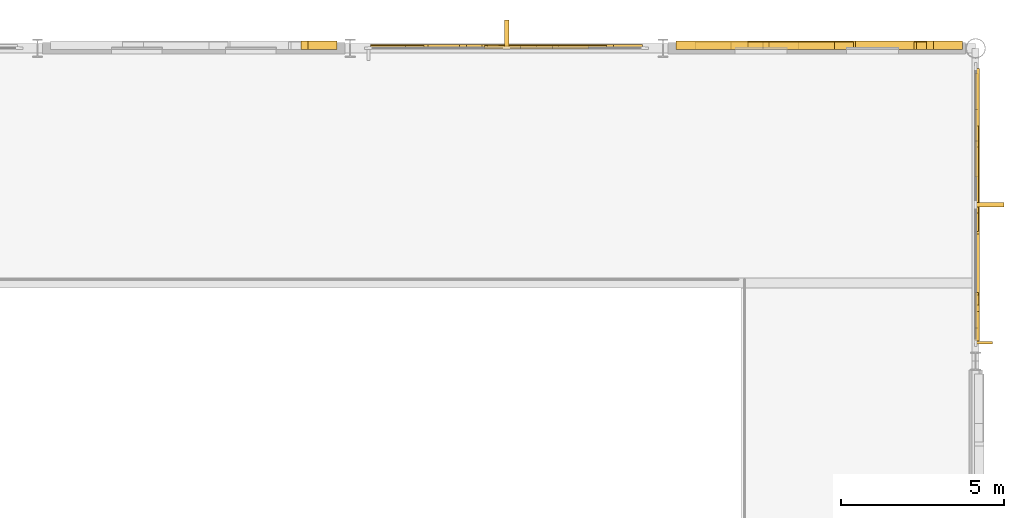
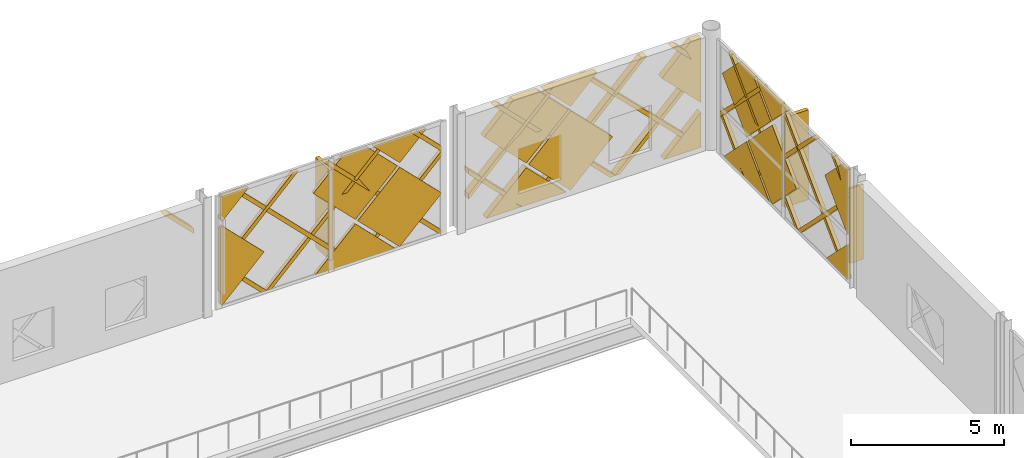
# One storey, part 77 of 77: 42 coverings, 1 shading device.
"""IFC4 building model written with IfcOpenShell, lengths in metres."""

import ifcopenshell
import ifcopenshell.guid

model = None  # the IFC model being written
_history = None  # IfcOwnerHistory: only IFC2X3 demands one
_inside = {}  # id of a spatial element -> (the spatial element, [elements in it])
_under = {}  # id of a project, library or spatial element -> (it, [spatial elements below it])
_declared = {}  # id of a project -> (the project, [libraries it declares])
_typed = {}  # id of a type object -> (the type object, [elements of that type])
_made_of = {}  # id of a material, layer set ... -> (it, [elements and type objects made of it])


def new_model(schema):
    """Start an empty IFC model of exactly this schema.

    Asked for "IFC4X3", IfcOpenShell would pick the latest addendum, in which some entities
    have other attributes; the version numbers below select the first issue.
    IFC2X3 requires an IfcOwnerHistory on every rooted entity: one is made here for all.
    """
    global model, _history
    if schema == "IFC4X3":
        model = ifcopenshell.file(schema_version=(4, 3, 0, 0))
    else:
        model = ifcopenshell.file(schema=schema)
    _inside.clear()
    _under.clear()
    _declared.clear()
    _typed.clear()
    _made_of.clear()
    _history = None
    if model.schema == "IFC2X3":
        org = make("IfcOrganization", Name="unknown")
        user = make(
            "IfcPersonAndOrganization",
            ThePerson=make("IfcPerson", FamilyName="unknown"),
            TheOrganization=org,
        )
        app = make(
            "IfcApplication",
            ApplicationDeveloper=org,
            Version="unknown",
            ApplicationFullName="unknown",
            ApplicationIdentifier="unknown",
        )
        _history = make(
            "IfcOwnerHistory",
            OwningUser=user,
            OwningApplication=app,
            ChangeAction="ADDED",
            CreationDate=0,
        )
    return model


def make(cls, **values):
    """One entity of the class cls with the attributes given. An attribute that is None is left unset."""
    return model.create_entity(
        cls, **{name: value for name, value in values.items() if value is not None}
    )


def rooted(cls, **values):
    """An entity with a GlobalId (a new one), such as an element, a storey or a relation."""
    return make(cls, GlobalId=ifcopenshell.guid.new(), OwnerHistory=_history, **values)


def si_unit(unit_type, name, prefix=None):
    """IfcSIUnit, for example si_unit("LENGTHUNIT", "METRE", prefix="MILLI")."""
    return make("IfcSIUnit", UnitType=unit_type, Prefix=prefix, Name=name)


def assignment(units):
    """IfcUnitAssignment: the units of a project."""
    return None if units is None else make("IfcUnitAssignment", Units=units)


def point(xyz):
    """IfcCartesianPoint."""
    return None if xyz is None else make("IfcCartesianPoint", Coordinates=xyz)


def direction(xyz):
    """IfcDirection."""
    return None if xyz is None else make("IfcDirection", DirectionRatios=xyz)


def frame(location, z_axis=None, x_axis=None):
    """IfcAxis2Placement3D, a coordinate frame: its origin and axes. An axis left out is left unset."""
    return make(
        "IfcAxis2Placement3D",
        Location=point(location),
        Axis=direction(z_axis),
        RefDirection=direction(x_axis),
    )


def frame_2d(location, x_axis=None):
    """IfcAxis2Placement2D, a coordinate frame in the plane: its origin and x axis."""
    return make(
        "IfcAxis2Placement2D", Location=point(location), RefDirection=direction(x_axis)
    )


def origin():
    """The frame at (0, 0, 0) with its axes left unset."""
    return frame((0.0, 0.0, 0.0))


def origin_2d():
    """The frame at (0, 0) in the plane with its x axis left unset."""
    return frame_2d((0.0, 0.0))


def place(relative_to, where):
    """IfcLocalPlacement: puts the frame where relative to a parent placement (None: the world)."""
    return make(
        "IfcLocalPlacement", PlacementRelTo=relative_to, RelativePlacement=where
    )


def context(
    kind, dimensions, precision=None, world=None, true_north=None, identifier=None
):
    """IfcGeometricRepresentationContext, for example the 3D "Model" context."""
    return make(
        "IfcGeometricRepresentationContext",
        ContextIdentifier=identifier,
        ContextType=kind,
        CoordinateSpaceDimension=dimensions,
        Precision=precision,
        WorldCoordinateSystem=world,
        TrueNorth=true_north,
    )


def subcontext(parent, identifier, kind, view, scale=None):
    """IfcGeometricRepresentationSubContext, for example "Body" below "Model"."""
    return make(
        "IfcGeometricRepresentationSubContext",
        ContextIdentifier=identifier,
        ContextType=kind,
        ParentContext=parent,
        TargetScale=scale,
        TargetView=view,
    )


def project(units=None, contexts=None):
    """IfcProject with its units and contexts."""
    return rooted(
        "IfcProject",
        Name="project",
        RepresentationContexts=contexts,
        UnitsInContext=assignment(units),
    )


def spatial(cls, under=None, at=None, **own):
    """A site, building, storey or space (cls), placed at a placement, below another one or the project."""
    s = rooted(cls, ObjectPlacement=at, **own)
    if under is not None:
        _under.setdefault(under.id(), (under, []))[1].append(s)
    return s


def polyline(points):
    """IfcPolyline through the points."""
    return make("IfcPolyline", Points=[point(p) for p in points])


def profile(cls, at=None, kind="AREA", **sizes):
    """A parametric profile (cls). Its sizes go by their IFC names, for example OverallWidth=200.0."""
    return make(cls, ProfileType=kind, Position=at, **sizes)


def rectangle(**sizes):
    """IfcRectangleProfileDef."""
    return profile("IfcRectangleProfileDef", **sizes)


def outline(outer, holes=None, kind="AREA"):
    """IfcArbitraryClosedProfileDef: a profile drawn as a closed curve; with holes, ...WithVoids."""
    if holes is None:
        return make("IfcArbitraryClosedProfileDef", ProfileType=kind, OuterCurve=outer)
    return make(
        "IfcArbitraryProfileDefWithVoids",
        ProfileType=kind,
        OuterCurve=outer,
        InnerCurves=holes,
    )


def extrude(swept, where, along, depth):
    """IfcExtrudedAreaSolid: the profile swept, set in the frame where, extruded along a direction by depth."""
    return make(
        "IfcExtrudedAreaSolid",
        SweptArea=swept,
        Position=where,
        ExtrudedDirection=direction(along),
        Depth=depth,
    )


def shape(context_of_items, identifier, shape_type, items):
    """IfcShapeRepresentation: the items that make up one representation, for example the "Body"."""
    return make(
        "IfcShapeRepresentation",
        ContextOfItems=context_of_items,
        RepresentationIdentifier=identifier,
        RepresentationType=shape_type,
        Items=items,
    )


def material(Name=None, Category=None):
    """IfcMaterial."""
    return make("IfcMaterial", Name=Name, Category=Category)


def layer(
    of_material, thickness, ventilated=None, Name=None, Category=None, Priority=None
):
    """IfcMaterialLayer: one layer of a wall or slab, of a material (None: an air gap)."""
    return make(
        "IfcMaterialLayer",
        Material=of_material,
        LayerThickness=thickness,
        IsVentilated=ventilated,
        Name=Name,
        Category=Category,
        Priority=Priority,
    )


def layer_set(layers, Name=None):
    """IfcMaterialLayerSet."""
    return make("IfcMaterialLayerSet", MaterialLayers=layers, LayerSetName=Name)


def made_of(thing, what):
    """Note that an element or type object is made of a material, layer set ...; save() writes the relation."""
    if what is not None:
        _made_of.setdefault(what.id(), (what, []))[1].append(thing)
    return thing


def type_object(cls, material=None, **own):
    """A type object (cls), such as IfcWallType, which elements share."""
    return made_of(rooted(cls, **own), material)


def element(
    cls,
    number,
    at=None,
    inside=None,
    cuts=None,
    type_object=None,
    material=None,
    context=None,
    identifier="Body",
    shape_type=None,
    held_by="IfcProductDefinitionShape",
    body=None,
    shapes=None,
    **own,
):
    """One element of the class cls, such as IfcWall. Its Tag is "e" and its number.

    at: its placement. inside: the storey or other place that contains it. cuts: it is an
    opening in that element (IfcRelVoidsElement). A single representation is given by context,
    identifier, shape_type and body (its items); several are given by shapes. held_by: the class
    of the entity that holds the representations. save() writes the other relations.
    """
    e = rooted(cls, Tag="e%d" % number, ObjectPlacement=at, **own)
    if body is not None:
        shapes = [shape(context, identifier, shape_type, body)]
    if shapes is not None:
        e.Representation = make(held_by, Representations=shapes)
    if inside is not None:
        _inside.setdefault(inside.id(), (inside, []))[1].append(e)
    if cuts is not None:
        rooted(
            "IfcRelVoidsElement", RelatingBuildingElement=cuts, RelatedOpeningElement=e
        )
    if type_object is not None:
        _typed.setdefault(type_object.id(), (type_object, []))[1].append(e)
    return made_of(e, material)


def aggregate(whole, parts):
    """IfcRelAggregates: a whole, such as a stair, and the parts it consists of."""
    return rooted("IfcRelAggregates", RelatingObject=whole, RelatedObjects=parts)


def save(model, path):
    """Write the relations noted so far, then the file.

    IfcRelAggregates (storeys below a building ...), IfcRelContainedInSpatialStructure (elements
    in a storey), IfcRelDefinesByType, IfcRelAssociatesMaterial and IfcRelDeclares: one each for
    every whole, place, type object, material and project.
    """
    for whole, parts in _under.values():
        aggregate(whole, parts)
    for where, things in _inside.values():
        rooted(
            "IfcRelContainedInSpatialStructure",
            RelatedElements=things,
            RelatingStructure=where,
        )
    for kind, things in _typed.values():
        rooted("IfcRelDefinesByType", RelatedObjects=things, RelatingType=kind)
    for what, things in _made_of.values():
        rooted("IfcRelAssociatesMaterial", RelatedObjects=things, RelatingMaterial=what)
    for by, libraries in _declared.values():
        rooted("IfcRelDeclares", RelatingContext=by, RelatedDefinitions=libraries)
    model.write(path)


model = new_model("IFC4")

# Units and contexts
model_context = context("Model", 3, precision=1e-05, world=origin(), true_north=direction((0.0, 1.0)))
body_context = subcontext(model_context, "Body", "Model", "MODEL_VIEW")
ifc_project = project(units=[si_unit("LENGTHUNIT", "METRE"), si_unit("AREAUNIT", "SQUARE_METRE"), si_unit("VOLUMEUNIT", "CUBIC_METRE"), si_unit("PLANEANGLEUNIT", "RADIAN"), si_unit("MASSUNIT", "GRAM", prefix="KILO")], contexts=[model_context])

# Site, building, storey
site_placement = place(None, origin())
site = spatial("IfcSite", under=ifc_project, at=site_placement, CompositionType="ELEMENT")
building_placement = place(site_placement, origin())
building = spatial("IfcBuilding", under=site, at=building_placement, Name="Zevrakil Square Congress Hotel", CompositionType="ELEMENT")
storey_placement = place(building_placement, frame((0.0, 0.0, 9.89990234375)))
storey = spatial("IfcBuildingStorey", under=building, at=storey_placement, Name="L03", CompositionType="ELEMENT", Elevation=9.89990234375)

# Coverings
ifc_material_1 = material(Name="Architectural White Fibre-C GRC", Category="concrete")
ifc_layer_1 = layer(ifc_material_1, 0.06494140625)
ifc_layer_set_1 = layer_set([ifc_layer_1], Name="Architectural White Fibre-C GRC")
covering_type_1 = type_object("IfcCoveringType", Name="COV-DIA-WHITE", PredefinedType="CLADDING", material=ifc_layer_set_1)
covering_1_placement = place(storey_placement, frame((152.1201171875, 112.89404296875, 1.590087890625), z_axis=(0.0, 0.999999790873, 0.000646725815), x_axis=(-0.707106707249, 0.000457304257, -0.707106707249)))
element("IfcCovering", 1, at=covering_1_placement, inside=storey, type_object=covering_type_1, Name="L03 45-degree white GRC diamond facade cassette 836", PredefinedType="CLADDING", context=body_context, shape_type="SweptSolid", body=[
    extrude(outline(polyline([(0.0, 0.0), (2.1354765131557993, 0.0), (0.00017308005963778683, -2.1353038796462007), (0.0, 0.0)])), origin(), (0.0, 0.0, -1.0), 0.1201171875),
])
covering_2_placement = place(storey_placement, frame((153.800048828125, 112.89306640625, 3.27001953125), z_axis=(0.0, 0.999999812555, 0.000612282237), x_axis=(-0.707161000838, 0.000432915721, -0.707052424844)))
element("IfcCovering", 2, at=covering_2_placement, inside=storey, type_object=covering_type_1, Name="L03 45-degree white GRC diamond facade cassette 837", PredefinedType="CLADDING", context=body_context, shape_type="SweptSolid", body=[
    extrude(outline(polyline([(0.0, 0.0), (2.2485514454845923, 0.0), (2.248379222880032, -2.2487240657380214), (0.013983748838055643, -2.248379882955194), (-0.0001711092764935529, -2.234222853853795), (0.0, 0.0)])), origin(), (0.0, 0.0, -1.0), 0.1201171875),
])
covering_3_placement = place(storey_placement, frame((147.080078125, 112.89501953125, 0.090087890625), z_axis=(4.3905e-08, 0.999999810877, 0.000615017631), x_axis=(0.707052423991, -0.000434947608, 0.707161000444)))
element("IfcCovering", 3, at=covering_3_placement, inside=storey, type_object=covering_type_1, Name="L03 45-degree white GRC diamond facade cassette 838", PredefinedType="CLADDING", context=body_context, shape_type="SweptSolid", body=[
    extrude(outline(polyline([(0.0, 0.0), (2.2485514454863083, 0.0), (2.2487244898345797, -2.248378798725155), (2.163961467029263, -2.248557955925599), (6.520949064468817e-06, -0.08493566953746919), (0.0, 0.0)])), origin(), (0.0, 0.0, -1.0), 0.1201171875),
])
covering_4_placement = place(storey_placement, frame((150.530029296875, 112.89306640625, 3.360107421875), z_axis=(0.0, 0.999999844268, 0.000558088716), x_axis=(0.70710674536, 0.000394628335, -0.707106706895)))
element("IfcCovering", 4, at=covering_4_placement, inside=storey, type_object=covering_type_1, Name="L03 45-degree white GRC diamond facade cassette 839", PredefinedType="CLADDING", context=body_context, shape_type="SweptSolid", body=[
    extrude(outline(polyline([(0.0, 0.0), (2.2487239742229237, 0.0), (2.248551112868532, -2.2485513407226647), (0.692950553054712, -2.2487240632897065), (-0.00017288020188344078, -1.5556005597963094), (0.0, 0.0)])), origin(), (0.0, 0.0, -1.0), 0.1201171875),
])
covering_5_placement = place(storey_placement, frame((153.800048828125, 112.892822265625, 3.4501953125), z_axis=(0.0, 0.999999883142, 0.000483442051), x_axis=(0.707106739871, -0.000341845173, 0.707106739871)))
element("IfcCovering", 5, at=covering_5_placement, inside=storey, type_object=covering_type_1, Name="L03 45-degree white GRC diamond facade cassette 840", PredefinedType="CLADDING", context=body_context, shape_type="SweptSolid", body=[
    extrude(outline(polyline([(0.0, 0.0), (1.4283695921344428, 0.0), (1.6691658821788025e-07, -1.4283695921344328), (0.0, 0.0)])), origin(), (0.0, 0.0, -1.0), 0.1201171875),
])
covering_6_placement = place(storey_placement, frame((147.080078125, 112.892822265625, 3.4501953125), z_axis=(2.5668016e-05, 0.999999882073, 0.000484968358), x_axis=(0.707106739508, -0.00036107446, 0.707106730676)))
element("IfcCovering", 6, at=covering_6_placement, inside=storey, type_object=covering_type_1, Name="L03 45-degree white GRC diamond facade cassette 841", PredefinedType="CLADDING", context=body_context, shape_type="SweptSolid", body=[
    extrude(outline(polyline([(0.0, 0.0), (1.4283695918703618, 0.0), (0.6717170432219074, -0.7566526373474769), (-0.00017263400960761816, -0.08476303987563624), (0.0, 0.0)])), origin(), (0.0, 0.0, -1.0), 0.1201171875),
])
covering_7_placement = place(storey_placement, frame((163.7900390625, 113.0, 0.080078125), z_axis=(0.0, 0.999999760125, 0.000692640526), x_axis=(1.0, 0.0, 0.0)))
element("IfcCovering", 7, at=covering_7_placement, inside=storey, type_object=covering_type_1, Name="L03 45-degree white GRC diamond facade cassette 862", PredefinedType="CLADDING", context=body_context, shape_type="SweptSolid", body=[
    extrude(outline(polyline([(0.0, 0.0), (1.409912109375, 0.0), (1.409912109375, -1.4099124475784228), (0.0, 0.0)])), origin(), (0.0, 0.0, -1.0), 0.239990234375),
])
covering_8_placement = place(storey_placement, frame((158.580078125, 112.9990234375, 1.590087890625), z_axis=(0.0, 0.999999790873, 0.000646725815), x_axis=(-0.707106707249, 0.000457304257, -0.707106707249)))
element("IfcCovering", 8, at=covering_8_placement, inside=storey, type_object=covering_type_1, Name="L03 45-degree white GRC diamond facade cassette 863", PredefinedType="CLADDING", context=body_context, shape_type="SweptSolid", body=[
    extrude(outline(polyline([(0.0, 0.0), (2.1354765131557993, 0.0), (4.465861884739297e-07, -2.1354765131557527), (0.0, 0.0)])), origin(), (0.0, 0.0, -1.0), 0.239990234375),
])
covering_9_placement = place(storey_placement, frame((160.260009765625, 112.998046875, 3.27001953125), z_axis=(0.0, 0.999999811377, 0.000614203339), x_axis=(-0.707161000837, 0.000434274042, -0.707052424012)))
element("IfcCovering", 9, at=covering_9_placement, inside=storey, type_object=covering_type_1, Name="L03 45-degree white GRC diamond facade cassette 864", PredefinedType="CLADDING", context=body_context, shape_type="SweptSolid", body=[
    extrude(outline(polyline([(0.0, 0.0), (2.2485514454867683, 0.0), (2.2483792228863573, -2.248724065739994), (-0.0003448428211170196, -2.248551419043839), (0.0, 0.0)])), origin(), (0.0, 0.0, -1.0), 0.239990234375),
])
covering_10_placement = place(storey_placement, frame((163.7099609375, 112.998046875, 3.360107421875), z_axis=(6.6594553e-05, 0.999999832135, 0.0005755821), x_axis=(0.707106739346, 0.00035990858, -0.707106731433)))
element("IfcCovering", 10, at=covering_10_placement, inside=storey, type_object=covering_type_1, Name="L03 45-degree white GRC diamond facade cassette 865", PredefinedType="CLADDING", context=body_context, shape_type="SweptSolid", body=[
    extrude(outline(polyline([(0.0, 0.0), (2.1071645243865915, 0.0), (0.27569541471321635, -1.8314688986077599), (-2.548998729867691e-07, -1.5557731975905282), (0.0, 0.0)])), origin(), (0.0, 0.0, -1.0), 0.239990234375),
])
covering_11_placement = place(storey_placement, frame((156.989990234375, 112.998046875, 3.360107421875), z_axis=(0.0, 0.99999984427, 0.000558085713), x_axis=(0.70710674536, 0.000394626212, -0.707106706896)))
element("IfcCovering", 11, at=covering_11_placement, inside=storey, type_object=covering_type_1, Name="L03 45-degree white GRC diamond facade cassette 866", PredefinedType="CLADDING", context=body_context, shape_type="SweptSolid", body=[
    extrude(outline(polyline([(0.0, 0.0), (2.2487239742232523, 2.220446049250313e-16), (2.2485511128682028, -2.248551340722994), (0.6929505530546344, -2.248724063289557), (-2.4671910581197665e-07, -1.5557731932963055), (0.0, 0.0)])), origin(), (0.0, 0.0, -1.0), 0.239990234375),
])
covering_12_placement = place(storey_placement, frame((160.260009765625, 112.997802734375, 3.4501953125), z_axis=(0.0, 0.999999883142, 0.000483442051), x_axis=(0.707106739871, -0.000341845173, 0.707106739871)))
element("IfcCovering", 12, at=covering_12_placement, inside=storey, type_object=covering_type_1, Name="L03 45-degree white GRC diamond facade cassette 867", PredefinedType="CLADDING", context=body_context, shape_type="SweptSolid", body=[
    extrude(outline(polyline([(0.0, 0.0), (1.4283695921344428, 0.0), (1.6691658821788025e-07, -1.4283695921344328), (0.0, 0.0)])), origin(), (0.0, 0.0, -1.0), 0.239990234375),
])
covering_13_placement = place(storey_placement, frame((165.695068359375, 105.22998046875, 0.080078125), z_axis=(0.999999760125, 0.0, 0.000692640526), x_axis=(0.0, -1.0, 0.0)))
element("IfcCovering", 13, at=covering_13_placement, inside=storey, type_object=covering_type_1, Name="L03 45-degree white GRC diamond facade cassette 1026", PredefinedType="CLADDING", context=body_context, shape_type="SweptSolid", body=[
    extrude(outline(polyline([(0.0, 0.0), (1.409912109375, 0.0), (1.409912109375, -1.4099124475784228), (0.0, 0.0)])), origin(), (0.0, 0.0, -1.0), 0.1201171875),
])
covering_14_placement = place(storey_placement, frame((165.694091796875, 110.43994140625, 1.590087890625), z_axis=(0.999999790873, 0.0, 0.000646725815), x_axis=(0.000457304257, 0.707106707249, -0.707106707249)))
element("IfcCovering", 14, at=covering_14_placement, inside=storey, type_object=covering_type_1, Name="L03 45-degree white GRC diamond facade cassette 1027", PredefinedType="CLADDING", context=body_context, shape_type="SweptSolid", body=[
    extrude(outline(polyline([(0.0, 0.0), (2.1354765131557993, 0.0), (4.465861884739297e-07, -2.1354765131557527), (0.0, 0.0)])), origin(), (0.0, 0.0, -1.0), 0.1201171875),
])
covering_15_placement = place(storey_placement, frame((165.693115234375, 108.760009765625, 3.27001953125), z_axis=(0.999999855586, 0.0, 0.000537427945), x_axis=(0.000379989803, 0.707161001881, -0.707052454226)))
element("IfcCovering", 15, at=covering_15_placement, inside=storey, type_object=covering_type_1, Name="L03 45-degree white GRC diamond facade cassette 1028", PredefinedType="CLADDING", context=body_context, shape_type="SweptSolid", body=[
    extrude(outline(polyline([(0.0, 0.0), (2.2485514421697053, 2.220446049250313e-16), (2.2483791201710894, -2.248723969644624), (-0.0003448494557509729, -2.2485514157257587), (0.0, 0.0)])), origin(), (0.0, 0.0, -1.0), 0.1201171875),
])
covering_16_placement = place(storey_placement, frame((165.693115234375, 105.31005859375, 3.360107421875), z_axis=(0.999999832135, -6.6594553e-05, 0.0005755821), x_axis=(0.00035990858, -0.707106739346, -0.707106731433)))
element("IfcCovering", 16, at=covering_16_placement, inside=storey, type_object=covering_type_1, Name="L03 45-degree white GRC diamond facade cassette 1029", PredefinedType="CLADDING", context=body_context, shape_type="SweptSolid", body=[
    extrude(outline(polyline([(0.0, 0.0), (2.1071645243865915, 0.0), (0.27569541471321635, -1.8314688986077599), (-2.548998729867691e-07, -1.5557731975905282), (0.0, 0.0)])), origin(), (0.0, 0.0, -1.0), 0.1201171875),
])
covering_17_placement = place(storey_placement, frame((165.693115234375, 112.030029296875, 3.360107421875), z_axis=(0.99999984427, 0.0, 0.000558085713), x_axis=(0.000394626212, -0.70710674536, -0.707106706896)))
element("IfcCovering", 17, at=covering_17_placement, inside=storey, type_object=covering_type_1, Name="L03 45-degree white GRC diamond facade cassette 1030", PredefinedType="CLADDING", context=body_context, shape_type="SweptSolid", body=[
    extrude(outline(polyline([(0.0, 0.0), (2.2487239742232523, 2.220446049250313e-16), (2.2485511128682028, -2.248551340722994), (0.6929505530546344, -2.248724063289557), (-2.4671910581197665e-07, -1.5557731932963055), (0.0, 0.0)])), origin(), (0.0, 0.0, -1.0), 0.1201171875),
])
covering_18_placement = place(storey_placement, frame((165.69287109375, 108.760009765625, 3.4501953125), z_axis=(0.999999883142, 0.0, 0.000483442051), x_axis=(-0.000341845173, -0.707106739871, 0.707106739871)))
element("IfcCovering", 18, at=covering_18_placement, inside=storey, type_object=covering_type_1, Name="L03 45-degree white GRC diamond facade cassette 1031", PredefinedType="CLADDING", context=body_context, shape_type="SweptSolid", body=[
    extrude(outline(polyline([(0.0, 0.0), (1.4283695921344428, 0.0), (1.6691658821788025e-07, -1.4283695921344328), (0.0, 0.0)])), origin(), (0.0, 0.0, -1.0), 0.1201171875),
])
ifc_material_2 = material(Name="Anodised Champagne Aluminium", Category="aluminium")
ifc_layer_2 = layer(ifc_material_2, 0.0849609375)
ifc_layer_set_2 = layer_set([ifc_layer_2], Name="Anodised Champagne Aluminium")
covering_type_2 = type_object("IfcCoveringType", Name="COV-DIAGRID-45", PredefinedType="MOLDING", material=ifc_layer_set_2)
covering_19_placement = place(storey_placement, frame((146.0, 113.02294921875, 3.35400390625), z_axis=(-0.000365977951, 0.999999865906, 0.000366399099), x_axis=(1.34094e-07, -0.000366399075, 0.999999932876)))
element("IfcCovering", 19, at=covering_19_placement, inside=storey, type_object=covering_type_2, Name="L03 45-degree aluminium diagrid rib 819", PredefinedType="MOLDING", context=body_context, shape_type="SweptSolid", body=[
    extrude(outline(polyline([(0.0, 0.0), (0.2121581888840605, 5.6157808774107894e-24), (1.1062012461278208, -0.8937990363176199), (1.1062012176459408, -1.1062013658430474), (0.0, 0.0)])), origin(), (0.0, 0.0, -1.0), 0.264892578125),
])
covering_20_placement = place(storey_placement, frame((155.3798828125, 112.91796875, 3.35400390625), z_axis=(-0.000366210888, 0.99999986589, 0.000366210888), x_axis=(1.3411e-07, -0.000366210864, 0.999999932945)))
element("IfcCovering", 20, at=covering_20_placement, inside=storey, type_object=covering_type_2, Name="L03 45-degree aluminium diagrid rib 842", PredefinedType="MOLDING", context=body_context, shape_type="SweptSolid", body=[
    extrude(outline(polyline([(0.0, 0.0), (0.21215818889868723, 0.0), (1.1062012460515567, -0.8937990364120078), (1.10620121759893, -1.105957225310693), (0.0, 0.0)])), origin(), (0.0, 0.0, -1.0), 0.14501953125),
])
covering_21_placement = place(storey_placement, frame((155.2939453125, 112.919921875, 0.080078125), z_axis=(-0.000183857306, 0.999999888672, 0.000434571815), x_axis=(0.999999983098, 0.000183857289, 7.9899e-08)))
element("IfcCovering", 21, at=covering_21_placement, inside=storey, type_object=covering_type_2, Name="L03 45-degree aluminium diagrid rib 843", PredefinedType="MOLDING", context=body_context, shape_type="SweptSolid", body=[
    extrude(outline(polyline([(0.0, 0.0), (0.08593749854750544, 0.0), (0.08593750863243922, -0.12622069120644114), (-4.167724682721849, -4.380127706588648), (-4.380127022881877, -4.380127706588648), (0.0, 0.0)])), origin(), (0.0, 0.0, -1.0), 0.14501953125),
])
covering_22_placement = place(storey_placement, frame((151.933837890625, 112.919921875, 0.080078125), z_axis=(0.0, 0.999999812042, 0.00061312067), x_axis=(1.0, 0.0, 0.0)))
element("IfcCovering", 22, at=covering_22_placement, inside=storey, type_object=covering_type_2, Name="L03 45-degree aluminium diagrid rib 844", PredefinedType="MOLDING", context=body_context, shape_type="SweptSolid", body=[
    extrude(outline(polyline([(0.0, 0.0), (0.212158203125, 0.0), (-4.167724609375, -4.380127776407226), (-4.3798828125, -4.380127776407226), (0.0, 0.0)])), origin(), (0.0, 0.0, -1.0), 0.14501953125),
])
covering_23_placement = place(storey_placement, frame((148.573974609375, 112.919921875, 0.080078125), z_axis=(-0.000294139249, 0.999999913482, 0.000294139249), x_axis=(0.999999956741, 0.000294139237, 8.6518e-08)))
element("IfcCovering", 23, at=covering_23_placement, inside=storey, type_object=covering_type_2, Name="L03 45-degree aluminium diagrid rib 845", PredefinedType="MOLDING", context=body_context, shape_type="SweptSolid", body=[
    extrude(outline(polyline([(0.0, 0.0), (0.2121581939472589, 0.0), (-1.553955145347468, -1.7661134920951609), (-1.5539551637029505, -1.5539552981479028), (0.0, 0.0)])), origin(), (0.0, 0.0, -1.0), 0.14501953125),
])
covering_24_placement = place(storey_placement, frame((155.3798828125, 112.918212890625, 3.154052734375), z_axis=(-0.000287488092, 0.999999586067, 0.000863259418), x_axis=(-8.2649e-08, -0.000863259477, 0.999999627391)))
element("IfcCovering", 24, at=covering_24_placement, inside=storey, type_object=covering_type_2, Name="L03 45-degree aluminium diagrid rib 846", PredefinedType="MOLDING", context=body_context, shape_type="SweptSolid", body=[
    extrude(outline(polyline([(0.0, 0.0), (0.212158334829751, 1.3234889800848443e-23), (-3.0739746677062127, -3.2858890617254115), (-3.073974685240951, -3.0737308673677872), (0.0, 0.0)])), origin(), (0.0, 0.0, -1.0), 0.14501953125),
])
covering_25_placement = place(storey_placement, frame((153.326171875, 112.917236328125, 4.460205078125), z_axis=(0.0, 0.999999812042, 0.00061312067), x_axis=(-1.0, 0.0, 0.0)))
element("IfcCovering", 25, at=covering_25_placement, inside=storey, type_object=covering_type_2, Name="L03 45-degree aluminium diagrid rib 847", PredefinedType="MOLDING", context=body_context, shape_type="SweptSolid", body=[
    extrude(outline(polyline([(0.0, 0.0), (0.212158203125, 0.0), (4.59228515625, -4.380127776407226), (4.380126953125, -4.380127776407226), (0.0, 0.0)])), origin(), (0.0, 0.0, -1.0), 0.14501953125),
])
covering_26_placement = place(storey_placement, frame((149.966064453125, 112.917236328125, 4.460205078125), z_axis=(-0.000252504271, 0.999999565627, 0.000897210752), x_axis=(-0.999999968121, -0.000252504169, -2.2655e-07)))
element("IfcCovering", 26, at=covering_26_placement, inside=storey, type_object=covering_type_2, Name="L03 45-degree aluminium diagrid rib 848", PredefinedType="MOLDING", context=body_context, shape_type="SweptSolid", body=[
    extrude(outline(polyline([(0.0, 0.0), (0.21215819636156538, -5.6157808774107894e-24), (2.94604501579257, -2.7338871516970973), (2.9460450022657008, -2.946289629002098), (0.0, 0.0)])), origin(), (0.0, 0.0, -1.0), 0.14501953125),
])
covering_27_placement = place(storey_placement, frame((165.199951171875, 113.02294921875, 3.35400390625), z_axis=(-0.000366210888, 0.99999986589, 0.000366210888), x_axis=(1.3411e-07, -0.000366210864, 0.999999932945)))
element("IfcCovering", 27, at=covering_27_placement, inside=storey, type_object=covering_type_2, Name="L03 45-degree aluminium diagrid rib 868", PredefinedType="MOLDING", context=body_context, shape_type="SweptSolid", body=[
    extrude(outline(polyline([(0.0, 0.0), (0.21215818889868723, 0.0), (1.1062012460515567, -0.8937990364120078), (1.10620121759893, -1.105957225310693), (0.0, 0.0)])), origin(), (0.0, 0.0, -1.0), 0.264892578125),
])
covering_28_placement = place(storey_placement, frame((165.114013671875, 113.02490234375, 0.080078125), z_axis=(-0.000183960933, 0.999999888701, 0.000434460926), x_axis=(0.999999983079, 0.000183960915, 7.9924e-08)))
element("IfcCovering", 28, at=covering_28_placement, inside=storey, type_object=covering_type_2, Name="L03 45-degree aluminium diagrid rib 869", PredefinedType="MOLDING", context=body_context, shape_type="SweptSolid", body=[
    extrude(outline(polyline([(0.0, 0.0), (0.08593749854586766, 1.137373342260413e-24), (0.08593750863391077, -0.12622069121252277), (-4.167968823433683, -4.380127706501899), (-4.380127022968794, -4.380127706501899), (0.0, 0.0)])), origin(), (0.0, 0.0, -1.0), 0.264892578125),
])
covering_29_placement = place(storey_placement, frame((161.75390625, 113.02490234375, 0.080078125), z_axis=(0.0, 0.999999812042, 0.00061312067), x_axis=(1.0, 0.0, 0.0)))
element("IfcCovering", 29, at=covering_29_placement, inside=storey, type_object=covering_type_2, Name="L03 45-degree aluminium diagrid rib 870", PredefinedType="MOLDING", context=body_context, shape_type="SweptSolid", body=[
    extrude(outline(polyline([(0.0, 0.0), (0.212158203125, 0.0), (-4.167724609375, -4.380127776407226), (-4.380126953125, -4.380127776407226), (0.0, 0.0)])), origin(), (0.0, 0.0, -1.0), 0.264892578125),
])
covering_30_placement = place(storey_placement, frame((158.393798828125, 113.02490234375, 0.080078125), z_axis=(-0.000290471383, 0.999999915529, 0.000290805643), x_axis=(0.999999957813, 0.000290471371, 8.4471e-08)))
element("IfcCovering", 30, at=covering_30_placement, inside=storey, type_object=covering_type_2, Name="L03 45-degree aluminium diagrid rib 871", PredefinedType="MOLDING", context=body_context, shape_type="SweptSolid", body=[
    extrude(outline(polyline([(0.0, 0.0), (0.212402334789422, -2.81112161297318e-24), (-1.993896568491142, -2.206054949206632), (-1.9938965864122986, -1.9938967550525222), (0.0, 0.0)])), origin(), (0.0, 0.0, -1.0), 0.264892578125),
])
covering_31_placement = place(storey_placement, frame((165.199951171875, 113.023193359375, 3.154052734375), z_axis=(-0.000287317256, 0.999999586254, 0.000863099624), x_axis=(-8.2646e-08, -0.000863099684, 0.999999627529)))
element("IfcCovering", 31, at=covering_31_placement, inside=storey, type_object=covering_type_2, Name="L03 45-degree aluminium diagrid rib 872", PredefinedType="MOLDING", context=body_context, shape_type="SweptSolid", body=[
    extrude(outline(polyline([(0.0, 0.0), (0.212158334820002, 0.0), (-3.0739746678474664, -3.286133202189314), (-3.0739746854017027, -3.07373086720635), (0.0, 0.0)])), origin(), (0.0, 0.0, -1.0), 0.264892578125),
])
covering_32_placement = place(storey_placement, frame((163.14599609375, 113.022216796875, 4.460205078125), z_axis=(0.0, 0.999999812042, 0.00061312067), x_axis=(-1.0, 0.0, 0.0)))
element("IfcCovering", 32, at=covering_32_placement, inside=storey, type_object=covering_type_2, Name="L03 45-degree aluminium diagrid rib 873", PredefinedType="MOLDING", context=body_context, shape_type="SweptSolid", body=[
    extrude(outline(polyline([(0.0, 0.0), (0.212158203125, 0.0), (4.592041015625, -4.380127776407226), (4.3798828125, -4.380127776407226), (0.0, 0.0)])), origin(), (0.0, 0.0, -1.0), 0.264892578125),
])
covering_33_placement = place(storey_placement, frame((159.7861328125, 113.022216796875, 4.460205078125), z_axis=(-0.000259047731, 0.999999568883, 0.00089169976), x_axis=(-0.999999966447, -0.000259047628, -2.30993e-07)))
element("IfcCovering", 33, at=covering_33_placement, inside=storey, type_object=covering_type_2, Name="L03 45-degree aluminium diagrid rib 874", PredefinedType="MOLDING", context=body_context, shape_type="SweptSolid", body=[
    extrude(outline(polyline([(0.0, 0.0), (0.21215819600648467, 0.0), (3.3862305823677334, -3.1740727453282176), (3.386230568130703, -3.386231081806826), (0.0, 0.0)])), origin(), (0.0, 0.0, -1.0), 0.264892578125),
])
covering_34_placement = place(storey_placement, frame((165.718017578125, 103.820068359375, 3.35400390625), z_axis=(0.99999986589, 0.000366210888, 0.000366210888), x_axis=(-0.000366210864, -1.3411e-07, 0.999999932945)))
element("IfcCovering", 34, at=covering_34_placement, inside=storey, type_object=covering_type_2, Name="L03 45-degree aluminium diagrid rib 1032", PredefinedType="MOLDING", context=body_context, shape_type="SweptSolid", body=[
    extrude(outline(polyline([(0.0, 0.0), (0.21215818889868723, 0.0), (1.1062012460515567, -0.8937990364120078), (1.10620121759893, -1.105957225310693), (0.0, 0.0)])), origin(), (0.0, 0.0, -1.0), 0.14501953125),
])
covering_35_placement = place(storey_placement, frame((165.719970703125, 103.906005859375, 0.080078125), z_axis=(0.999999888701, 0.000183960933, 0.000434460926), x_axis=(0.000183960915, -0.999999983079, 7.9924e-08)))
element("IfcCovering", 35, at=covering_35_placement, inside=storey, type_object=covering_type_2, Name="L03 45-degree aluminium diagrid rib 1033", PredefinedType="MOLDING", context=body_context, shape_type="SweptSolid", body=[
    extrude(outline(polyline([(0.0, 0.0), (0.08593749854586766, 1.137373342260413e-24), (0.08593750863391077, -0.12622069121252277), (-4.167968823433683, -4.380127706501899), (-4.380127022968794, -4.380127706501899), (0.0, 0.0)])), origin(), (0.0, 0.0, -1.0), 0.14501953125),
])
covering_36_placement = place(storey_placement, frame((165.719970703125, 107.26611328125, 0.080078125), z_axis=(0.999999812042, 0.0, 0.00061312067), x_axis=(0.0, -1.0, 0.0)))
element("IfcCovering", 36, at=covering_36_placement, inside=storey, type_object=covering_type_2, Name="L03 45-degree aluminium diagrid rib 1034", PredefinedType="MOLDING", context=body_context, shape_type="SweptSolid", body=[
    extrude(outline(polyline([(0.0, 0.0), (0.212158203125, 0.0), (-4.167724609375, -4.380127776407226), (-4.3798828125, -4.380127776407226), (0.0, 0.0)])), origin(), (0.0, 0.0, -1.0), 0.14501953125),
])
covering_37_placement = place(storey_placement, frame((165.719970703125, 110.626220703125, 0.080078125), z_axis=(0.999999913476, 0.000293980909, 0.000294319207), x_axis=(0.000293980897, -0.999999956788, 8.6524e-08)))
element("IfcCovering", 37, at=covering_37_placement, inside=storey, type_object=covering_type_2, Name="L03 45-degree aluminium diagrid rib 1035", PredefinedType="MOLDING", context=body_context, shape_type="SweptSolid", body=[
    extrude(outline(polyline([(0.0, 0.0), (0.21240233457158741, 0.0), (-1.5537110046395635, -1.7661134921773871), (-1.553711022996389, -1.5539552982413625), (0.0, 0.0)])), origin(), (0.0, 0.0, -1.0), 0.14501953125),
])
covering_38_placement = place(storey_placement, frame((165.718017578125, 103.820068359375, 3.154052734375), z_axis=(0.999999905692, -0.000306919207, 0.000307272394), x_axis=(-0.00030727238, 9.4308e-08, 0.999999952792)))
element("IfcCovering", 38, at=covering_38_placement, inside=storey, type_object=covering_type_2, Name="L03 45-degree aluminium diagrid rib 1036", PredefinedType="MOLDING", context=body_context, shape_type="SweptSolid", body=[
    extrude(outline(polyline([(0.0, 0.0), (0.21215819310940093, 2.8078904387053947e-24), (-3.0739747544917018, -3.286133257175718), (-3.0739747745229002, -3.073730923429806), (0.0, 0.0)])), origin(), (0.0, 0.0, -1.0), 0.14501953125),
])
covering_39_placement = place(storey_placement, frame((165.71728515625, 105.873779296875, 4.460205078125), z_axis=(0.999999812042, 0.0, 0.00061312067), x_axis=(0.0, 1.0, 0.0)))
element("IfcCovering", 39, at=covering_39_placement, inside=storey, type_object=covering_type_2, Name="L03 45-degree aluminium diagrid rib 1037", PredefinedType="MOLDING", context=body_context, shape_type="SweptSolid", body=[
    extrude(outline(polyline([(0.0, 0.0), (0.21240234375, 0.0), (4.59228515625, -4.380127776407226), (4.380126953125, -4.380127776407226), (0.0, 0.0)])), origin(), (0.0, 0.0, -1.0), 0.14501953125),
])
covering_40_placement = place(storey_placement, frame((165.71728515625, 109.23388671875, 4.460205078125), z_axis=(0.999999909474, -0.000301047678, 0.000300701646), x_axis=(0.000301047664, 0.999999954685, 9.0526e-08)))
element("IfcCovering", 40, at=covering_40_placement, inside=storey, type_object=covering_type_2, Name="L03 45-degree aluminium diagrid rib 1038", PredefinedType="MOLDING", context=body_context, shape_type="SweptSolid", body=[
    extrude(outline(polyline([(0.0, 0.0), (0.21215819351108217, 0.0), (2.9460450553746, -2.7338871090433825), (2.9460450361467636, -2.9462894431905147), (0.0, 0.0)])), origin(), (0.0, 0.0, -1.0), 0.14501953125),
])
ifc_material_3 = material(Name="Architectural White Fibre-C GRC", Category="concrete")
ifc_layer_3 = layer(ifc_material_3, 0.139892578125)
ifc_layer_set_3 = layer_set([ifc_layer_3], Name="Architectural White Fibre-C GRC")
covering_type_3 = type_object("IfcCoveringType", Name="COV-FIN-GRC90", PredefinedType="MOLDING", material=ifc_layer_set_3)
for number, where, z_axis, x_axis, name in (
    (41, (151.199951171875, 113.219970703125, 0.469970703125), (0.0, 0.0, 1.0), (0.0, 1.0, 0.0), "L03 highland sun-breaker GRC fin 849"),
    (42, (166.02001953125, 108.0, 0.469970703125), (0.0, 0.0, 1.0), (1.0, 0.0, 0.0), "L03 highland sun-breaker GRC fin 1039"),
):
    element("IfcCovering", number, at=place(storey_placement, frame(where, z_axis=z_axis, x_axis=x_axis)), inside=storey, type_object=covering_type_3, Name=name, PredefinedType="MOLDING", context=body_context, shape_type="SweptSolid", body=[
        extrude(rectangle(XDim=0.89990234375, YDim=0.139892578125, at=origin_2d()), origin(), (0.0, 0.0, 1.0), 3.60009765625),
    ])

# Shading device
ifc_material_4 = material(Name="Aluminium Anodised Bronze", Category="aluminium")
shading_device_type = type_object("IfcShadingDeviceType", Name="SHD-FIN-50", PredefinedType="JALOUSIE", material=ifc_material_4)
shading_device_placement = place(storey_placement, frame((165.8701171875, 103.760009765625, 0.77001953125), z_axis=(0.0, 0.0, 1.0), x_axis=(1.0, 0.0, 0.0)))
element("IfcShadingDevice", 43, at=shading_device_placement, inside=storey, type_object=shading_device_type, Name="L03 aluminium solar shading fin 57", PredefinedType="JALOUSIE", context=body_context, shape_type="SweptSolid", body=[
    extrude(rectangle(XDim=0.5, YDim=0.080078125, at=origin_2d()), origin(), (0.0, 0.0, 1.0), 3.0),
])

save(model, "model.ifc")
